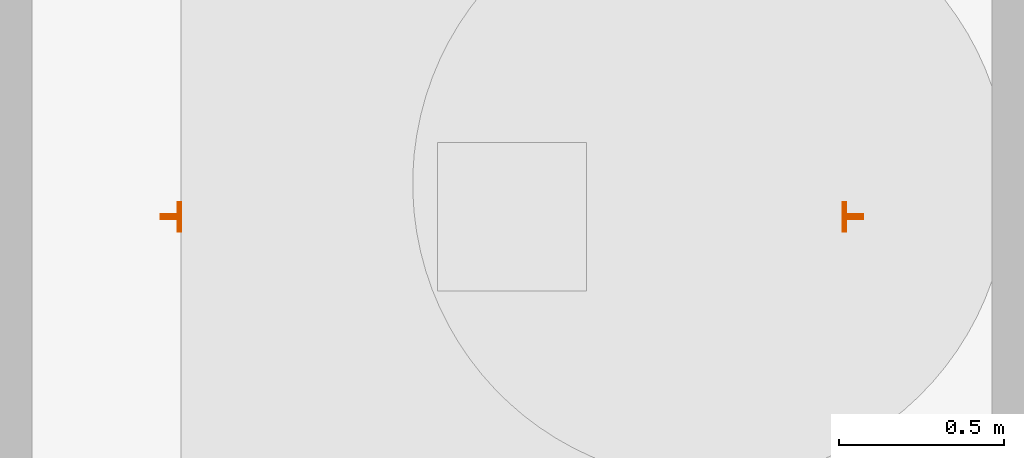
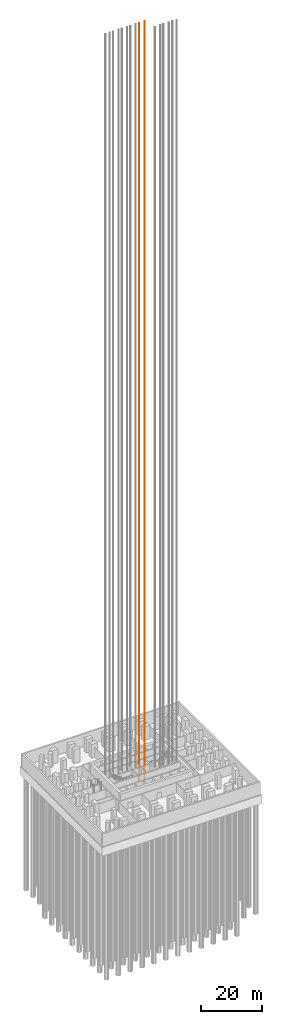
# One storey, part 13 of 17: 1 proxy.
"""IFC4 building model written with IfcOpenShell, lengths in metres."""

from ifc_helpers import new_model, si_unit, direction, frame, origin, origin_2d, place, context, subcontext, project, spatial, t_section, extrude, material, type_object, element, save


model = new_model("IFC4")

# Units and contexts
model_context = context("Model", 3, precision=1e-05, world=origin(), true_north=direction((0.0, 1.0)))
body_context = subcontext(model_context, "Body", "Model", "MODEL_VIEW")
ifc_project = project(units=[si_unit("LENGTHUNIT", "METRE"), si_unit("AREAUNIT", "SQUARE_METRE"), si_unit("VOLUMEUNIT", "CUBIC_METRE"), si_unit("PLANEANGLEUNIT", "RADIAN"), si_unit("MASSUNIT", "GRAM", prefix="KILO")], contexts=[model_context])

# Site, building, storey
site_placement = place(None, origin())
site = spatial("IfcSite", under=ifc_project, at=site_placement, CompositionType="ELEMENT")
building_placement = place(site_placement, origin())
building = spatial("IfcBuilding", under=site, at=building_placement, Name="Cobogo Forest Laboratory Tower", CompositionType="ELEMENT")
storey_placement = place(building_placement, frame((0.0, 0.0, -5.39990234375)))
storey = spatial("IfcBuildingStorey", under=building, at=storey_placement, Name="L-01", CompositionType="ELEMENT", Elevation=-5.39990234375)

# Proxy
ifc_material = material(Name="Steel guide rail", Category="steel")
building_element_proxy_type = type_object("IfcBuildingElementProxyType", Name="LR lift guide rails", PredefinedType="USERDEFINED", material=ifc_material)
proxy_placement = place(storey_placement, frame((28.050048828125, 25.25, 0.0)))
element("IfcBuildingElementProxy", 1, at=proxy_placement, inside=storey, type_object=building_element_proxy_type, Name="LS6 guide rails", ObjectType="LIFT GUIDE RAILS", PredefinedType="USERDEFINED", context=body_context, shape_type="SweptSolid", body=[
    extrude(t_section(Depth=0.062, FlangeWidth=0.089, WebThickness=0.0159, FlangeThickness=0.01, at=origin_2d()), frame((-1.031005859375, 0.0, -1.60009765625), z_axis=(0.0, 0.0, 1.0), x_axis=(0.0, -1.0, 0.0)), (0.0, 0.0, 1.0), 303.800048828125),
    extrude(t_section(Depth=0.062, FlangeWidth=0.089, WebThickness=0.0159, FlangeThickness=0.01, at=origin_2d()), frame((1.031005859375, 0.0, -1.60009765625), z_axis=(0.0, 0.0, 1.0), x_axis=(0.0, 1.0, 0.0)), (0.0, 0.0, 1.0), 303.800048828125),
])

save(model, "model.ifc")
